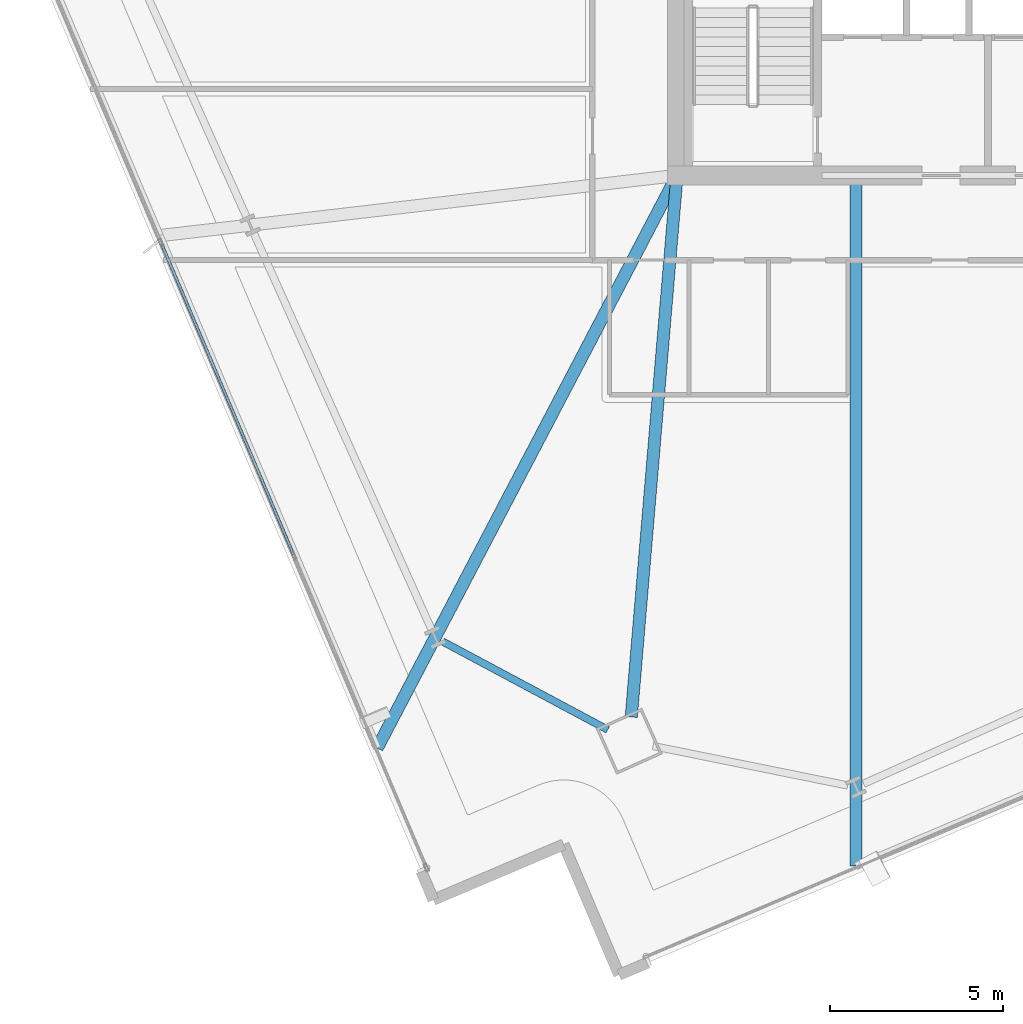
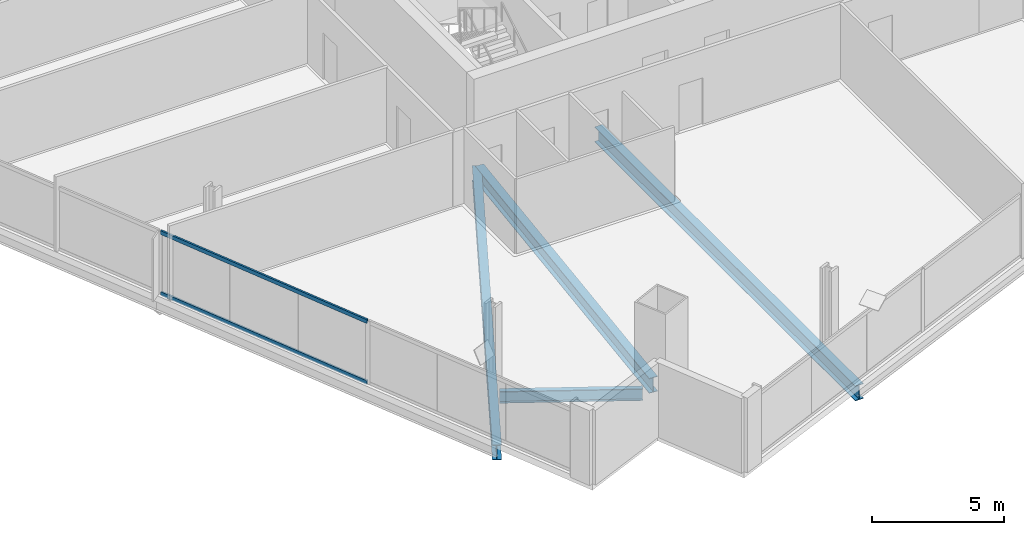
# One storey, part 4 of 34: 4 beams, 2 members, 1 element without a shape of its own.
"""IFC4 building model written with IfcOpenShell, lengths in metres."""

from ifc_helpers import new_model, si_unit, direction, frame, origin, origin_2d, place, context, subcontext, project, spatial, hollow_rectangle, i_section, extrude, material, material_profile, profile_set, type_object, element, aggregate, save


model = new_model("IFC4")

# Units and contexts
model_context = context("Model", 3, precision=1e-05, world=origin(), true_north=direction((0.0, 1.0)))
body_context = subcontext(model_context, "Body", "Model", "MODEL_VIEW")
ifc_project = project(units=[si_unit("LENGTHUNIT", "METRE"), si_unit("AREAUNIT", "SQUARE_METRE"), si_unit("VOLUMEUNIT", "CUBIC_METRE"), si_unit("PLANEANGLEUNIT", "RADIAN"), si_unit("MASSUNIT", "GRAM", prefix="KILO")], contexts=[model_context])

# Site, building, storey
site_placement = place(None, origin())
site = spatial("IfcSite", under=ifc_project, at=site_placement, CompositionType="ELEMENT")
building_placement = place(site_placement, origin())
building = spatial("IfcBuilding", under=site, at=building_placement, Name="Haldenkirk Collegiate Tower", CompositionType="ELEMENT")
storey_placement = place(building_placement, frame((0.0, 0.0, 105.449951171875)))
storey = spatial("IfcBuildingStorey", under=building, at=storey_placement, Name="L25", CompositionType="ELEMENT", Elevation=105.449951171875)

# Beams
ifc_material_1 = material(Name="Steel ASTM A992 Grade 50", Category="steel")
ifc_material_profile_1 = material_profile(ifc_material_1, i_section(OverallWidth=0.35498046875, OverallDepth=0.696044921875, WebThickness=0.015380859375, FlangeThickness=0.02490234375, at=origin_2d()), Name="W27X146")
ifc_profile_set_1 = profile_set([ifc_material_profile_1], Name="Steel ASTM A992 Grade 50")
beam_type_1 = type_object("IfcBeamType", Name="BM-GIRDER-W27X146", PredefinedType="BEAM", material=ifc_profile_set_1)
beam_1_placement = place(storey_placement, frame((25.67578125, 2.3203125, -0.64794921875), z_axis=(0.084153524607, 0.996452800837, 0.0), x_axis=(-0.996452800837, 0.084153524607, 0.0)))
element("IfcBeam", 1, at=beam_1_placement, inside=storey, type_object=beam_type_1, Name="L25 primary floor girder 01", PredefinedType="BEAM", context=body_context, shape_type="SweptSolid", body=[
    extrude(i_section(OverallWidth=0.35498046875, OverallDepth=0.696044921875, WebThickness=0.015380859375, FlangeThickness=0.02490234375, at=origin_2d()), origin(), (0.0, 0.0, 1.0), 15.48046875),
])
beam_2_placement = place(storey_placement, frame((32.181396484375, -1.997802734375, -0.64794921875), z_axis=(0.0, 1.0, 0.0), x_axis=(-1.0, 0.0, 0.0)))
element("IfcBeam", 2, at=beam_2_placement, inside=storey, type_object=beam_type_1, Name="L25 primary floor girder 05", PredefinedType="BEAM", context=body_context, shape_type="SweptSolid", body=[
    extrude(i_section(OverallWidth=0.35498046875, OverallDepth=0.696044921875, WebThickness=0.015380859375, FlangeThickness=0.02490234375, at=origin_2d()), origin(), (0.0, 0.0, 1.0), 19.742919921875),
])
beam_3_placement = place(storey_placement, frame((18.319091796875, 1.41845703125, -0.64794921875), z_axis=(0.463803887746, 0.885937894952, 0.0), x_axis=(-0.885937894952, 0.463803887746, 0.0)))
element("IfcBeam", 3, at=beam_3_placement, inside=storey, type_object=beam_type_1, Name="L25 primary floor girder 16", PredefinedType="BEAM", context=body_context, shape_type="SweptSolid", body=[
    extrude(i_section(OverallWidth=0.35498046875, OverallDepth=0.696044921875, WebThickness=0.015380859375, FlangeThickness=0.02490234375, at=origin_2d()), origin(), (0.0, 0.0, 1.0), 18.46142578125),
])
ifc_material_profile_2 = material_profile(ifc_material_1, i_section(OverallWidth=0.2119140625, OverallDepth=0.5439453125, WebThickness=0.01318359375, FlangeThickness=0.021240234375, at=origin_2d()), Name="W21X83")
ifc_profile_set_2 = profile_set([ifc_material_profile_2], Name="Steel ASTM A992 Grade 50")
beam_type_2 = type_object("IfcBeamType", Name="BM-SPANDREL-W21X83", PredefinedType="SPANDREL", material=ifc_profile_set_2)
beam_4_placement = place(storey_placement, frame((20.21240234375, 4.505615234375, -0.572021484375), z_axis=(0.881987493029, -0.471272810737, 0.0), x_axis=(0.471272810737, 0.881987493029, 0.0)))
element("IfcBeam", 4, at=beam_4_placement, inside=storey, type_object=beam_type_2, Name="L25 perimeter spandrel beam 16", PredefinedType="SPANDREL", context=body_context, shape_type="SweptSolid", body=[
    extrude(i_section(OverallWidth=0.2119140625, OverallDepth=0.5439453125, WebThickness=0.01318359375, FlangeThickness=0.021240234375, at=origin_2d()), origin(), (0.0, 0.0, 1.0), 5.42236328125),
])

# Curtain wall, members
ifc_material_2 = material(Name="Anodised architectural bronze aluminium", Category="aluminium")
curtain_wall_type = type_object("IfcCurtainWallType", Name="CW-SYS1-CONVEX-LOW", PredefinedType="USERDEFINED", material=ifc_material_2)
curtain_wall_placement = place(storey_placement, origin())
curtain_wall = element("IfcCurtainWall", 5, at=curtain_wall_placement, inside=storey, type_object=curtain_wall_type, Name="L25 Lower tower convex bronze-framed unitised curtain wall", ObjectType="UNITISED CURTAIN WALL", PredefinedType="USERDEFINED")
ifc_material_profile_3 = material_profile(ifc_material_2, hollow_rectangle(XDim=0.080078125, YDim=0.179931640625, WallThickness=0.0048828125, at=origin_2d()), Name="CW-TRN-1A")
ifc_profile_set_3 = profile_set([ifc_material_profile_3], Name="Anodised architectural bronze aluminium")
member_type = type_object("IfcMemberType", Name="CW-TRN-1A", PredefinedType="USERDEFINED", material=ifc_profile_set_3)
member_1_placement = place(storey_placement, frame((15.8955078125, 7.026123046875, 0.0400390625), z_axis=(-0.390744281289, 0.920499270309, 0.0), x_axis=(-0.920499270309, -0.390744281289, 0.0)))
member_1 = element("IfcMember", 6, at=member_1_placement, type_object=member_type, Name="CW-1A transom 2.1", ObjectType="TRANSOM", PredefinedType="USERDEFINED", context=body_context, shape_type="SweptSolid", body=[
    extrude(hollow_rectangle(XDim=0.080078125, YDim=0.179931640625, WallThickness=0.0048828125, at=origin_2d()), origin(), (0.0, 0.0, 1.0), 9.77001953125),
])
member_2_placement = place(storey_placement, frame((15.8955078125, 7.026123046875, 2.861083984375), z_axis=(-0.390744281289, 0.920499270309, 0.0), x_axis=(-0.920499270309, -0.390744281289, 0.0)))
member_2 = element("IfcMember", 7, at=member_2_placement, type_object=member_type, Name="CW-1A transom 2.2", ObjectType="TRANSOM", PredefinedType="USERDEFINED", context=body_context, shape_type="SweptSolid", body=[
    extrude(hollow_rectangle(XDim=0.080078125, YDim=0.179931640625, WallThickness=0.0048828125, at=origin_2d()), origin(), (0.0, 0.0, 1.0), 9.77001953125),
])
aggregate(curtain_wall, [member_1, member_2])

save(model, "model.ifc")
